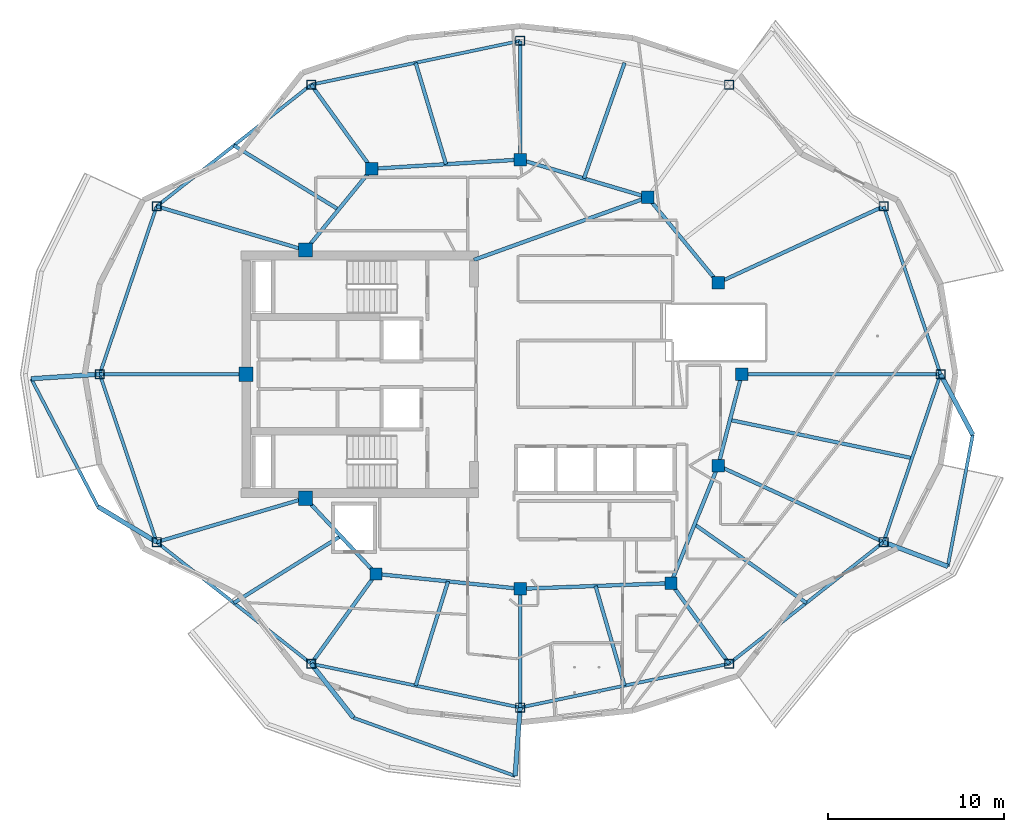
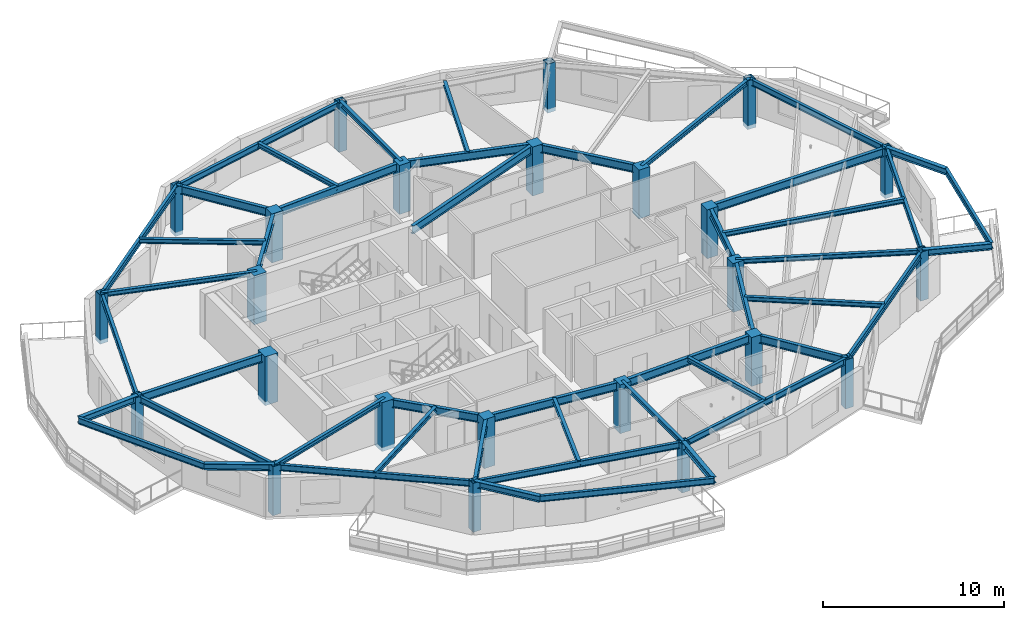
# One storey, part 1 of 14: 48 beams, 24 columns.
"""IFC4 building model written with IfcOpenShell, lengths in metres."""

from ifc_helpers import new_model, si_unit, direction, frame, origin, origin_2d, place, context, subcontext, project, spatial, rectangle, hollow_rectangle, i_section, extrude, material, material_profile, profile_set, type_object, element, save


model = new_model("IFC4")

# Units and contexts
model_context = context("Model", 3, precision=1e-05, world=origin(), true_north=direction((0.0, 1.0)))
body_context = subcontext(model_context, "Body", "Model", "MODEL_VIEW")
ifc_project = project(units=[si_unit("LENGTHUNIT", "METRE"), si_unit("AREAUNIT", "SQUARE_METRE"), si_unit("VOLUMEUNIT", "CUBIC_METRE"), si_unit("PLANEANGLEUNIT", "RADIAN"), si_unit("MASSUNIT", "GRAM", prefix="KILO")], contexts=[model_context])

# Site, building, storey
site_placement = place(None, origin())
site = spatial("IfcSite", under=ifc_project, at=site_placement, CompositionType="ELEMENT")
building_placement = place(site_placement, origin())
building = spatial("IfcBuilding", under=site, at=building_placement, Name="Kolvaren Gate Tower and Convention Centre", CompositionType="ELEMENT")
storey_placement = place(building_placement, frame((0.0, 0.0, 209.60009765625)))
storey = spatial("IfcBuildingStorey", under=building, at=storey_placement, Name="L55", CompositionType="ELEMENT", Elevation=209.60009765625)

# Columns
ifc_material_1 = material(Name="Structural steel ASTM A500 Grade C 345 MPa", Category="steel")
ifc_material_profile_1 = material_profile(ifc_material_1, hollow_rectangle(XDim=0.508056640625, YDim=0.508056640625, WallThickness=0.01904296875, at=origin_2d()), Name="HSS508X508X19.1")
ifc_profile_set_1 = profile_set([ifc_material_profile_1], Name="Structural steel ASTM A500 Grade C 345 MPa")
column_type_1 = type_object("IfcColumnType", Name="STR-COL-HSS508", PredefinedType="COLUMN", material=ifc_profile_set_1)
for number, where, z_axis, x_axis, name in (
    (1, (54.02490234375, 27.0, -0.27001953125), (0.0, 0.0, 1.0), (1.0, 0.0, 0.0), "Tower L55 Perimeter Supercolumn TP-01"),
    (2, (50.787353515625, 36.543701171875, -0.27001953125), (0.0, 0.0, 1.0), (1.0, 0.0, 0.0), "Tower L55 Perimeter Supercolumn TP-02"),
    (3, (42.002685546875, 43.4580078125, -0.27001953125), (0.0, 0.0, 1.0), (1.0, 0.0, 0.0), "Tower L55 Perimeter Supercolumn TP-03"),
    (4, (30.125, 45.949951171875, -0.27001953125), (0.0, 0.0, 1.0), (1.0, 0.0, 0.0), "Tower L55 Perimeter Supercolumn TP-04"),
    (5, (18.247314453125, 43.4580078125, -0.27001953125), (0.0, 0.0, 1.0), (1.0, 0.0, 0.0), "Tower L55 Perimeter Supercolumn TP-05"),
    (6, (9.462646484375, 36.543701171875, -0.27001953125), (0.0, 0.0, 1.0), (1.0, 0.0, 0.0), "Tower L55 Perimeter Supercolumn TP-06"),
    (7, (6.22509765625, 27.0, -0.27001953125), (0.0, 0.0, 1.0), (1.0, 0.0, 0.0), "Tower L55 Perimeter Supercolumn TP-07"),
    (8, (9.462646484375, 17.456298828125, -0.27001953125), (0.0, 0.0, 1.0), (1.0, 0.0, 0.0), "Tower L55 Perimeter Supercolumn TP-08"),
    (9, (18.247314453125, 10.5419921875, -0.27001953125), (0.0, 0.0, 1.0), (1.0, 0.0, 0.0), "Tower L55 Perimeter Supercolumn TP-09"),
    (10, (30.125, 8.050048828125, -0.27001953125), (0.0, 0.0, 1.0), (1.0, 0.0, 0.0), "Tower L55 Perimeter Supercolumn TP-10"),
    (11, (42.002685546875, 10.5419921875, -0.27001953125), (0.0, 0.0, 1.0), (1.0, 0.0, 0.0), "Tower L55 Perimeter Supercolumn TP-11"),
    (12, (50.787353515625, 17.456298828125, -0.27001953125), (0.0, 0.0, 1.0), (1.0, 0.0, 0.0), "Tower L55 Perimeter Supercolumn TP-12"),
):
    element("IfcColumn", number, at=place(storey_placement, frame(where, z_axis=z_axis, x_axis=x_axis)), inside=storey, type_object=column_type_1, Name=name, PredefinedType="COLUMN", context=body_context, shape_type="SweptSolid", body=[
        extrude(hollow_rectangle(XDim=0.508056640625, YDim=0.508056640625, WallThickness=0.01904296875, at=origin_2d()), origin(), (0.0, 0.0, 1.0), 3.2998046875),
    ])
ifc_material_2 = material(Name="Concrete C50/60", Category="concrete")
ifc_material_profile_2 = material_profile(ifc_material_2, rectangle(XDim=0.699951171875, YDim=0.699951171875, at=origin_2d()), Name="RC-COL-700X700")
ifc_profile_set_2 = profile_set([ifc_material_profile_2], Name="Concrete C50/60")
column_type_2 = type_object("IfcColumnType", Name="STR-COL-RC700", PredefinedType="COLUMN", material=ifc_profile_set_2)
for number, where, z_axis, x_axis, name in (
    (13, (42.72509765625, 27.0, -0.27001953125), (0.0, 0.0, 1.0), (1.0, 0.0, 0.0), "Tower L55 Interior Column TI-01"),
    (14, (41.382080078125, 32.199462890625, -0.27001953125), (0.0, 0.0, 1.0), (1.0, 0.0, 0.0), "Tower L55 Interior Column TI-02"),
    (15, (37.381591796875, 37.054931640625, -0.27001953125), (0.0, 0.0, 1.0), (1.0, 0.0, 0.0), "Tower L55 Interior Column TI-03"),
    (16, (30.125, 39.199951171875, -0.27001953125), (0.0, 0.0, 1.0), (1.0, 0.0, 0.0), "Tower L55 Interior Column TI-04"),
    (17, (21.697998046875, 38.6767578125, -0.27001953125), (0.0, 0.0, 1.0), (1.0, 0.0, 0.0), "Tower L55 Interior Column TI-05"),
    (18, (21.93212890625, 15.647705078125, -0.27001953125), (0.0, 0.0, 1.0), (1.0, 0.0, 0.0), "Tower L55 Interior Column TI-06"),
    (19, (30.125, 14.800048828125, -0.27001953125), (0.0, 0.0, 1.0), (1.0, 0.0, 0.0), "Tower L55 Interior Column TI-07"),
    (20, (38.6982421875, 15.12060546875, -0.27001953125), (0.0, 0.0, 1.0), (1.0, 0.0, 0.0), "Tower L55 Interior Column TI-08"),
    (21, (41.382080078125, 21.800537109375, -0.27001953125), (0.0, 0.0, 1.0), (1.0, 0.0, 0.0), "Tower L55 Interior Column TI-09"),
):
    element("IfcColumn", number, at=place(storey_placement, frame(where, z_axis=z_axis, x_axis=x_axis)), inside=storey, type_object=column_type_2, Name=name, PredefinedType="COLUMN", context=body_context, shape_type="SweptSolid", body=[
        extrude(rectangle(XDim=0.699951171875, YDim=0.699951171875, at=origin_2d()), origin(), (0.0, 0.0, 1.0), 3.2998046875),
    ])
ifc_material_3 = material(Name="Concrete C60/75", Category="concrete")
ifc_material_profile_3 = material_profile(ifc_material_3, rectangle(XDim=0.800048828125, YDim=0.800048828125, at=origin_2d()), Name="RC-COL-800X800")
ifc_profile_set_3 = profile_set([ifc_material_profile_3], Name="Concrete C60/75")
column_type_3 = type_object("IfcColumnType", Name="STR-PIL-RC800", PredefinedType="PILASTER", material=ifc_profile_set_3)
for number, where, z_axis, x_axis, name in (
    (22, (17.9140625, 34.050048828125, -0.27001953125), (0.0, 0.0, 1.0), (1.0, 0.0, 0.0), "Tower L55 Core Boundary Pilaster TC-05"),
    (23, (14.550048828125, 27.0, -0.27001953125), (0.0, 0.0, 1.0), (1.0, 0.0, 0.0), "Tower L55 Core Boundary Pilaster TC-06"),
    (24, (17.9140625, 19.949951171875, -0.27001953125), (0.0, 0.0, 1.0), (1.0, 0.0, 0.0), "Tower L55 Core Boundary Pilaster TC-07"),
):
    element("IfcColumn", number, at=place(storey_placement, frame(where, z_axis=z_axis, x_axis=x_axis)), inside=storey, type_object=column_type_3, Name=name, PredefinedType="PILASTER", context=body_context, shape_type="SweptSolid", body=[
        extrude(rectangle(XDim=0.800048828125, YDim=0.800048828125, at=origin_2d()), origin(), (0.0, 0.0, 1.0), 3.2998046875),
    ])

# Beams
ifc_material_4 = material(Name="Structural steel ASTM A992 Grade 345 MPa", Category="steel")
ifc_material_profile_4 = material_profile(ifc_material_4, i_section(OverallWidth=0.260009765625, OverallDepth=0.419921875, WebThickness=0.013427734375, FlangeThickness=0.0224609375, at=origin_2d()), Name="W410X132")
ifc_profile_set_4 = profile_set([ifc_material_profile_4], Name="Structural steel ASTM A992 Grade 345 MPa")
beam_type_1 = type_object("IfcBeamType", Name="STR-BM-W410X132", PredefinedType="BEAM", material=ifc_profile_set_4)
for number, where, z_axis, x_axis, name in (
    (25, (6.22509765625, 27.0, 2.8203125), (-0.997825138942, -0.065916554034, 0.0), (0.065916554034, -0.997825138942, 0.0), "Tower L56 Planted Balcony Outrigger Cantilever BC-2A"),
    (26, (9.462646484375, 17.456298828125, 2.8203125), (-0.856097890351, 0.516813701575, 0.0), (-0.516813701575, -0.856097890351, 0.0), "Tower L56 Planted Balcony Outrigger Cantilever BC-2B"),
):
    element("IfcBeam", number, at=place(storey_placement, frame(where, z_axis=z_axis, x_axis=x_axis)), inside=storey, type_object=beam_type_1, Name=name, PredefinedType="BEAM", context=body_context, shape_type="SweptSolid", body=[
        extrude(i_section(OverallWidth=0.260009765625, OverallDepth=0.419921875, WebThickness=0.013427734375, FlangeThickness=0.0224609375, at=origin_2d()), origin(), (0.0, 0.0, 1.0), 3.900146484375),
    ])
beam_1_placement = place(storey_placement, frame((18.247314453125, 10.5419921875, 2.8203125), z_axis=(0.615984127809, -0.787758563449, 0.0), x_axis=(0.787758563449, 0.615984127809, 0.0)))
element("IfcBeam", 27, at=beam_1_placement, inside=storey, type_object=beam_type_1, Name="Tower L56 Planted Balcony Outrigger Cantilever BC-3A", PredefinedType="BEAM", context=body_context, shape_type="SweptSolid", body=[
    extrude(i_section(OverallWidth=0.260009765625, OverallDepth=0.419921875, WebThickness=0.013427734375, FlangeThickness=0.0224609375, at=origin_2d()), origin(), (0.0, 0.0, 1.0), 3.89990234375),
])
for number, where, z_axis, x_axis, name in (
    (28, (30.125, 8.050048828125, 2.8203125), (-0.073177618762, -0.997318923972, 0.0), (0.997318923972, -0.073177618762, 0.0), "Tower L56 Planted Balcony Outrigger Cantilever BC-3B"),
    (29, (50.787353515625, 17.456298828125, 2.8203125), (0.935223524141, -0.354057848229, 0.0), (0.354057848229, 0.935223524141, 0.0), "Tower L56 Planted Balcony Outrigger Cantilever BC-4A"),
    (30, (54.02490234375, 27.0, 2.8203125), (0.469557949111, -0.882901655014, 0.0), (0.882901655014, 0.469557949111, 0.0), "Tower L56 Planted Balcony Outrigger Cantilever BC-4B"),
):
    element("IfcBeam", number, at=place(storey_placement, frame(where, z_axis=z_axis, x_axis=x_axis)), inside=storey, type_object=beam_type_1, Name=name, PredefinedType="BEAM", context=body_context, shape_type="SweptSolid", body=[
        extrude(i_section(OverallWidth=0.260009765625, OverallDepth=0.419921875, WebThickness=0.013427734375, FlangeThickness=0.0224609375, at=origin_2d()), origin(), (0.0, 0.0, 1.0), 3.900146484375),
    ])
ifc_material_profile_5 = material_profile(ifc_material_4, i_section(OverallWidth=0.2119140625, OverallDepth=0.5439453125, WebThickness=0.01318359375, FlangeThickness=0.021240234375, at=origin_2d()), Name="W530X123")
ifc_profile_set_5 = profile_set([ifc_material_profile_5], Name="Structural steel ASTM A992 Grade 345 MPa")
beam_type_2 = type_object("IfcBeamType", Name="STR-BM-W530X123", PredefinedType="BEAM", material=ifc_profile_set_5)
beam_2_placement = place(storey_placement, frame((42.72509765625, 27.0, 2.7578125), z_axis=(-0.250091133936, -0.968222301296, 0.0), x_axis=(0.968222301296, -0.250091133936, 0.0)))
element("IfcBeam", 31, at=beam_2_placement, inside=storey, type_object=beam_type_2, Name="Tower L55 Primary Ring Girder G-01", PredefinedType="BEAM", context=body_context, shape_type="SweptSolid", body=[
    extrude(i_section(OverallWidth=0.2119140625, OverallDepth=0.5439453125, WebThickness=0.01318359375, FlangeThickness=0.021240234375, at=origin_2d()), origin(), (0.0, 0.0, 1.0), 5.3701171875),
])
beam_3_placement = place(storey_placement, frame((41.382080078125, 32.199462890625, 2.7578125), z_axis=(-0.635884066011, 0.771784590798, 0.0), x_axis=(-0.771784590798, -0.635884066011, 0.0)))
element("IfcBeam", 32, at=beam_3_placement, inside=storey, type_object=beam_type_2, Name="Tower L55 Primary Ring Girder G-02", PredefinedType="BEAM", context=body_context, shape_type="SweptSolid", body=[
    extrude(i_section(OverallWidth=0.2119140625, OverallDepth=0.5439453125, WebThickness=0.01318359375, FlangeThickness=0.021240234375, at=origin_2d()), origin(), (0.0, 0.0, 1.0), 6.291259765625),
])
beam_4_placement = place(storey_placement, frame((37.381591796875, 37.054931640625, 2.7578125), z_axis=(-0.958980837827, 0.283470902706, 0.0), x_axis=(-0.283470902706, -0.958980837827, 0.0)))
element("IfcBeam", 33, at=beam_4_placement, inside=storey, type_object=beam_type_2, Name="Tower L55 Primary Ring Girder G-03", PredefinedType="BEAM", context=body_context, shape_type="SweptSolid", body=[
    extrude(i_section(OverallWidth=0.2119140625, OverallDepth=0.5439453125, WebThickness=0.01318359375, FlangeThickness=0.021240234375, at=origin_2d()), origin(), (0.0, 0.0, 1.0), 7.56689453125),
])
beam_5_placement = place(storey_placement, frame((30.125, 39.199951171875, 2.7578125), z_axis=(-0.998078258568, -0.06196603726, 0.0), x_axis=(0.06196603726, -0.998078258568, 0.0)))
element("IfcBeam", 34, at=beam_5_placement, inside=storey, type_object=beam_type_2, Name="Tower L55 Primary Ring Girder G-04", PredefinedType="BEAM", context=body_context, shape_type="SweptSolid", body=[
    extrude(i_section(OverallWidth=0.2119140625, OverallDepth=0.5439453125, WebThickness=0.01318359375, FlangeThickness=0.021240234375, at=origin_2d()), origin(), (0.0, 0.0, 1.0), 8.443115234375),
])
beam_6_placement = place(storey_placement, frame((21.697998046875, 38.6767578125, 2.7578125), z_axis=(-0.633082074904, -0.774084676528, 0.0), x_axis=(0.774084676528, -0.633082074904, 0.0)))
element("IfcBeam", 35, at=beam_6_placement, inside=storey, type_object=beam_type_2, Name="Tower L55 Primary Ring Girder G-05", PredefinedType="BEAM", context=body_context, shape_type="SweptSolid", body=[
    extrude(i_section(OverallWidth=0.2119140625, OverallDepth=0.5439453125, WebThickness=0.01318359375, FlangeThickness=0.021240234375, at=origin_2d()), origin(), (0.0, 0.0, 1.0), 5.97705078125),
])
beam_7_placement = place(storey_placement, frame((17.9140625, 19.949951171875, 2.7578125), z_axis=(0.682557592987, -0.730831808459, 0.0), x_axis=(0.730831808459, 0.682557592987, 0.0)))
element("IfcBeam", 36, at=beam_7_placement, inside=storey, type_object=beam_type_2, Name="Tower L55 Primary Ring Girder G-06", PredefinedType="BEAM", context=body_context, shape_type="SweptSolid", body=[
    extrude(i_section(OverallWidth=0.2119140625, OverallDepth=0.5439453125, WebThickness=0.01318359375, FlangeThickness=0.021240234375, at=origin_2d()), origin(), (0.0, 0.0, 1.0), 5.88671875),
])
beam_8_placement = place(storey_placement, frame((21.93212890625, 15.647705078125, 2.7578125), z_axis=(0.994690329115, -0.102913308978, 0.0), x_axis=(0.102913308978, 0.994690329115, 0.0)))
element("IfcBeam", 37, at=beam_8_placement, inside=storey, type_object=beam_type_2, Name="Tower L55 Primary Ring Girder G-07", PredefinedType="BEAM", context=body_context, shape_type="SweptSolid", body=[
    extrude(i_section(OverallWidth=0.2119140625, OverallDepth=0.5439453125, WebThickness=0.01318359375, FlangeThickness=0.021240234375, at=origin_2d()), origin(), (0.0, 0.0, 1.0), 8.236572265625),
])
beam_9_placement = place(storey_placement, frame((30.125, 14.800048828125, 2.7578125), z_axis=(0.999301712453, 0.037364254142, 0.0), x_axis=(-0.037364254142, 0.999301712453, 0.0)))
element("IfcBeam", 38, at=beam_9_placement, inside=storey, type_object=beam_type_2, Name="Tower L55 Primary Ring Girder G-08", PredefinedType="BEAM", context=body_context, shape_type="SweptSolid", body=[
    extrude(i_section(OverallWidth=0.2119140625, OverallDepth=0.5439453125, WebThickness=0.01318359375, FlangeThickness=0.021240234375, at=origin_2d()), origin(), (0.0, 0.0, 1.0), 8.579345703125),
])
beam_10_placement = place(storey_placement, frame((38.6982421875, 15.12060546875, 2.7578125), z_axis=(0.372811100169, 0.927907260232, 0.0), x_axis=(-0.927907260232, 0.372811100169, 0.0)))
element("IfcBeam", 39, at=beam_10_placement, inside=storey, type_object=beam_type_2, Name="Tower L55 Primary Ring Girder G-09", PredefinedType="BEAM", context=body_context, shape_type="SweptSolid", body=[
    extrude(i_section(OverallWidth=0.2119140625, OverallDepth=0.5439453125, WebThickness=0.01318359375, FlangeThickness=0.021240234375, at=origin_2d()), origin(), (0.0, 0.0, 1.0), 7.198974609375),
])
beam_11_placement = place(storey_placement, frame((27.5, 33.5, 2.7578125), z_axis=(0.940961479908, 0.338513653093, 0.0), x_axis=(-0.338513653093, 0.940961479908, 0.0)))
element("IfcBeam", 40, at=beam_11_placement, inside=storey, type_object=beam_type_2, Name="Tower L55 Primary Ring Girder G-10", PredefinedType="BEAM", context=body_context, shape_type="SweptSolid", body=[
    extrude(i_section(OverallWidth=0.2119140625, OverallDepth=0.5439453125, WebThickness=0.01318359375, FlangeThickness=0.021240234375, at=origin_2d()), origin(), (0.0, 0.0, 1.0), 10.501708984375),
])
beam_12_placement = place(storey_placement, frame((42.72509765625, 27.0, 2.7578125), z_axis=(1.0, 0.0, 0.0), x_axis=(0.0, 1.0, 0.0)))
element("IfcBeam", 41, at=beam_12_placement, inside=storey, type_object=beam_type_2, Name="Tower L55 Radial Floor Girder RB-01", PredefinedType="BEAM", context=body_context, shape_type="SweptSolid", body=[
    extrude(i_section(OverallWidth=0.2119140625, OverallDepth=0.5439453125, WebThickness=0.01318359375, FlangeThickness=0.021240234375, at=origin_2d()), origin(), (0.0, 0.0, 1.0), 11.2998046875),
])
beam_13_placement = place(storey_placement, frame((21.697998046875, 38.6767578125, 2.7578125), z_axis=(-0.585218406802, 0.810875709552, 0.0), x_axis=(-0.810875709552, -0.585218406802, 0.0)))
element("IfcBeam", 42, at=beam_13_placement, inside=storey, type_object=beam_type_2, Name="Tower L55 Radial Floor Girder RB-05", PredefinedType="BEAM", context=body_context, shape_type="SweptSolid", body=[
    extrude(i_section(OverallWidth=0.2119140625, OverallDepth=0.5439453125, WebThickness=0.01318359375, FlangeThickness=0.021240234375, at=origin_2d()), origin(), (0.0, 0.0, 1.0), 5.896484375),
])
beam_14_placement = place(storey_placement, frame((14.550048828125, 27.0, 2.7578125), z_axis=(-1.0, 0.0, 0.0), x_axis=(0.0, -1.0, 0.0)))
element("IfcBeam", 43, at=beam_14_placement, inside=storey, type_object=beam_type_2, Name="Tower L55 Radial Floor Girder RB-07", PredefinedType="BEAM", context=body_context, shape_type="SweptSolid", body=[
    extrude(i_section(OverallWidth=0.2119140625, OverallDepth=0.5439453125, WebThickness=0.01318359375, FlangeThickness=0.021240234375, at=origin_2d()), origin(), (0.0, 0.0, 1.0), 8.324951171875),
])
beam_15_placement = place(storey_placement, frame((21.93212890625, 15.647705078125, 2.7578125), z_axis=(-0.585214462319, -0.810878556316, 0.0), x_axis=(0.810878556316, -0.585214462319, 0.0)))
element("IfcBeam", 44, at=beam_15_placement, inside=storey, type_object=beam_type_2, Name="Tower L55 Radial Floor Girder RB-09", PredefinedType="BEAM", context=body_context, shape_type="SweptSolid", body=[
    extrude(i_section(OverallWidth=0.2119140625, OverallDepth=0.5439453125, WebThickness=0.01318359375, FlangeThickness=0.021240234375, at=origin_2d()), origin(), (0.0, 0.0, 1.0), 6.296630859375),
])
beam_16_placement = place(storey_placement, frame((38.6982421875, 15.12060546875, 2.7578125), z_axis=(0.585218993275, -0.810875286286, 0.0), x_axis=(0.810875286286, 0.585218993275, 0.0)))
element("IfcBeam", 45, at=beam_16_placement, inside=storey, type_object=beam_type_2, Name="Tower L55 Radial Floor Girder RB-11", PredefinedType="BEAM", context=body_context, shape_type="SweptSolid", body=[
    extrude(i_section(OverallWidth=0.2119140625, OverallDepth=0.5439453125, WebThickness=0.01318359375, FlangeThickness=0.021240234375, at=origin_2d()), origin(), (0.0, 0.0, 1.0), 5.646484375),
])
ifc_material_profile_6 = material_profile(ifc_material_4, i_section(OverallWidth=0.205078125, OverallDepth=0.31005859375, WebThickness=0.009521484375, FlangeThickness=0.016357421875, at=origin_2d()), Name="W310X74")
ifc_profile_set_6 = profile_set([ifc_material_profile_6], Name="Structural steel ASTM A992 Grade 345 MPa")
beam_type_3 = type_object("IfcBeamType", Name="STR-JS-W310X74", PredefinedType="JOIST", material=ifc_profile_set_6)
beam_17_placement = place(storey_placement, frame((41.382080078125, 32.199462890625, 2.875), z_axis=(0.907836575129, 0.419324162025, 0.0), x_axis=(-0.419324162025, 0.907836575129, 0.0)))
element("IfcBeam", 46, at=beam_17_placement, inside=storey, type_object=beam_type_3, Name="Tower L55 Radial Floor Girder RB-02", PredefinedType="JOIST", context=body_context, shape_type="SweptSolid", body=[
    extrude(i_section(OverallWidth=0.205078125, OverallDepth=0.31005859375, WebThickness=0.009521484375, FlangeThickness=0.016357421875, at=origin_2d()), origin(), (0.0, 0.0, 1.0), 10.360107421875),
])
beam_18_placement = place(storey_placement, frame((30.125, 39.199951171875, 2.875), z_axis=(0.0, 1.0, 0.0), x_axis=(-1.0, 0.0, 0.0)))
element("IfcBeam", 47, at=beam_18_placement, inside=storey, type_object=beam_type_3, Name="Tower L55 Radial Floor Girder RB-04", PredefinedType="JOIST", context=body_context, shape_type="SweptSolid", body=[
    extrude(i_section(OverallWidth=0.205078125, OverallDepth=0.31005859375, WebThickness=0.009521484375, FlangeThickness=0.016357421875, at=origin_2d()), origin(), (0.0, 0.0, 1.0), 6.75),
])
for number, where, z_axis, x_axis, name in (
    (48, (17.9140625, 34.050048828125, 2.875), (-0.959121165581, 0.28299574155, 0.0), (-0.28299574155, -0.959121165581, 0.0), "Tower L55 Radial Floor Girder RB-06"),
    (49, (17.9140625, 19.949951171875, 2.875), (-0.959121165581, -0.28299574155, 0.0), (0.28299574155, -0.959121165581, 0.0), "Tower L55 Radial Floor Girder RB-08"),
):
    element("IfcBeam", number, at=place(storey_placement, frame(where, z_axis=z_axis, x_axis=x_axis)), inside=storey, type_object=beam_type_3, Name=name, PredefinedType="JOIST", context=body_context, shape_type="SweptSolid", body=[
        extrude(i_section(OverallWidth=0.205078125, OverallDepth=0.31005859375, WebThickness=0.009521484375, FlangeThickness=0.016357421875, at=origin_2d()), origin(), (0.0, 0.0, 1.0), 8.8115234375),
    ])
beam_19_placement = place(storey_placement, frame((30.125, 14.800048828125, 2.875), z_axis=(0.0, -1.0, 0.0), x_axis=(1.0, 0.0, 0.0)))
element("IfcBeam", 50, at=beam_19_placement, inside=storey, type_object=beam_type_3, Name="Tower L55 Radial Floor Girder RB-10", PredefinedType="JOIST", context=body_context, shape_type="SweptSolid", body=[
    extrude(i_section(OverallWidth=0.205078125, OverallDepth=0.31005859375, WebThickness=0.009521484375, FlangeThickness=0.016357421875, at=origin_2d()), origin(), (0.0, 0.0, 1.0), 6.75),
])
beam_20_placement = place(storey_placement, frame((41.382080078125, 21.800537109375, 2.875), z_axis=(0.907836575129, -0.419324162025, 0.0), x_axis=(0.419324162025, 0.907836575129, 0.0)))
element("IfcBeam", 51, at=beam_20_placement, inside=storey, type_object=beam_type_3, Name="Tower L55 Radial Floor Girder RB-12", PredefinedType="JOIST", context=body_context, shape_type="SweptSolid", body=[
    extrude(i_section(OverallWidth=0.205078125, OverallDepth=0.31005859375, WebThickness=0.009521484375, FlangeThickness=0.016357421875, at=origin_2d()), origin(), (0.0, 0.0, 1.0), 10.360107421875),
])
beam_21_placement = place(storey_placement, frame((33.75341796875, 38.12744140625, 2.875), z_axis=(0.331432911821, 0.943478788824, 0.0), x_axis=(-0.943478788824, 0.331432911821, 0.0)))
element("IfcBeam", 52, at=beam_21_placement, inside=storey, type_object=beam_type_3, Name="Tower L55 Secondary Composite Floor Joist J-03.1", PredefinedType="JOIST", context=body_context, shape_type="SweptSolid", body=[
    extrude(i_section(OverallWidth=0.205078125, OverallDepth=0.31005859375, WebThickness=0.009521484375, FlangeThickness=0.016357421875, at=origin_2d()), origin(), (0.0, 0.0, 1.0), 6.970703125),
])
beam_22_placement = place(storey_placement, frame((25.91162109375, 38.938232421875, 2.875), z_axis=(-0.286674209033, 0.958028130002, 0.0), x_axis=(-0.958028130002, -0.286674209033, 0.0)))
element("IfcBeam", 53, at=beam_22_placement, inside=storey, type_object=beam_type_3, Name="Tower L55 Secondary Composite Floor Joist J-04.1", PredefinedType="JOIST", context=body_context, shape_type="SweptSolid", body=[
    extrude(i_section(OverallWidth=0.205078125, OverallDepth=0.31005859375, WebThickness=0.009521484375, FlangeThickness=0.016357421875, at=origin_2d()), origin(), (0.0, 0.0, 1.0), 6.0185546875),
])
beam_23_placement = place(storey_placement, frame((19.805908203125, 36.36328125, 2.875), z_axis=(-0.853232509014, 0.52153071392, 0.0), x_axis=(-0.52153071392, -0.853232509014, 0.0)))
element("IfcBeam", 54, at=beam_23_placement, inside=storey, type_object=beam_type_3, Name="Tower L55 Secondary Composite Floor Joist J-05.1", PredefinedType="JOIST", context=body_context, shape_type="SweptSolid", body=[
    extrude(i_section(OverallWidth=0.205078125, OverallDepth=0.31005859375, WebThickness=0.009521484375, FlangeThickness=0.016357421875, at=origin_2d()), origin(), (0.0, 0.0, 1.0), 6.974609375),
])
beam_24_placement = place(storey_placement, frame((19.923095703125, 17.798828125, 2.875), z_axis=(-0.847559309278, -0.530700685186, 0.0), x_axis=(0.530700685186, -0.847559309278, 0.0)))
element("IfcBeam", 55, at=beam_24_placement, inside=storey, type_object=beam_type_3, Name="Tower L55 Secondary Composite Floor Joist J-08.1", PredefinedType="JOIST", context=body_context, shape_type="SweptSolid", body=[
    extrude(i_section(OverallWidth=0.205078125, OverallDepth=0.31005859375, WebThickness=0.009521484375, FlangeThickness=0.016357421875, at=origin_2d()), origin(), (0.0, 0.0, 1.0), 7.159423828125),
])
beam_25_placement = place(storey_placement, frame((26.028564453125, 15.223876953125, 2.875), z_axis=(-0.296776485487, -0.954946971126, 0.0), x_axis=(0.954946971126, -0.296776485487, 0.0)))
element("IfcBeam", 56, at=beam_25_placement, inside=storey, type_object=beam_type_3, Name="Tower L55 Secondary Composite Floor Joist J-09.1", PredefinedType="JOIST", context=body_context, shape_type="SweptSolid", body=[
    extrude(i_section(OverallWidth=0.205078125, OverallDepth=0.31005859375, WebThickness=0.009521484375, FlangeThickness=0.016357421875, at=origin_2d()), origin(), (0.0, 0.0, 1.0), 6.207763671875),
])
beam_26_placement = place(storey_placement, frame((34.41162109375, 14.960205078125, 2.875), z_axis=(0.280001588896, -0.959999536571, 0.0), x_axis=(0.959999536571, 0.280001588896, 0.0)))
element("IfcBeam", 57, at=beam_26_placement, inside=storey, type_object=beam_type_3, Name="Tower L55 Secondary Composite Floor Joist J-10.1", PredefinedType="JOIST", context=body_context, shape_type="SweptSolid", body=[
    extrude(i_section(OverallWidth=0.205078125, OverallDepth=0.31005859375, WebThickness=0.009521484375, FlangeThickness=0.016357421875, at=origin_2d()), origin(), (0.0, 0.0, 1.0), 5.900390625),
])
beam_27_placement = place(storey_placement, frame((40.040283203125, 18.46044921875, 2.875), z_axis=(0.81845266589, -0.574573958423, 0.0), x_axis=(0.574573958423, 0.81845266589, 0.0)))
element("IfcBeam", 58, at=beam_27_placement, inside=storey, type_object=beam_type_3, Name="Tower L55 Secondary Composite Floor Joist J-11.1", PredefinedType="JOIST", context=body_context, shape_type="SweptSolid", body=[
    extrude(i_section(OverallWidth=0.205078125, OverallDepth=0.31005859375, WebThickness=0.009521484375, FlangeThickness=0.016357421875, at=origin_2d()), origin(), (0.0, 0.0, 1.0), 7.764404296875),
])
beam_28_placement = place(storey_placement, frame((42.0537109375, 24.400146484375, 2.875), z_axis=(0.978694513543, -0.205321818519, 0.0), x_axis=(0.205321818519, 0.978694513543, 0.0)))
element("IfcBeam", 59, at=beam_28_placement, inside=storey, type_object=beam_type_3, Name="Tower L55 Secondary Composite Floor Joist J-12.1", PredefinedType="JOIST", context=body_context, shape_type="SweptSolid", body=[
    extrude(i_section(OverallWidth=0.205078125, OverallDepth=0.31005859375, WebThickness=0.009521484375, FlangeThickness=0.016357421875, at=origin_2d()), origin(), (0.0, 0.0, 1.0), 10.577880859375),
])
ifc_material_profile_7 = material_profile(ifc_material_4, i_section(OverallWidth=0.180908203125, OverallDepth=0.4169921875, WebThickness=0.010986328125, FlangeThickness=0.018310546875, at=origin_2d()), Name="W410X85")
ifc_profile_set_7 = profile_set([ifc_material_profile_7], Name="Structural steel ASTM A992 Grade 345 MPa")
beam_type_4 = type_object("IfcBeamType", Name="STR-SP-W410X85", PredefinedType="SPANDREL", material=ifc_profile_set_7)
beam_29_placement = place(storey_placement, frame((54.02490234375, 27.0, 2.8212890625), z_axis=(-0.321252507379, 0.946993572577, 0.0), x_axis=(-0.946993572577, -0.321252507379, 0.0)))
element("IfcBeam", 60, at=beam_29_placement, inside=storey, type_object=beam_type_4, Name="Tower L55 Perimeter Spandrel Beam SP-01", PredefinedType="SPANDREL", context=body_context, shape_type="SweptSolid", body=[
    extrude(i_section(OverallWidth=0.180908203125, OverallDepth=0.4169921875, WebThickness=0.010986328125, FlangeThickness=0.018310546875, at=origin_2d()), origin(), (0.0, 0.0, 1.0), 10.077880859375),
])
beam_30_placement = place(storey_placement, frame((30.125, 45.949951171875, 2.8212890625), z_axis=(-0.978692765917, -0.205330148645, 0.0), x_axis=(0.205330148645, -0.978692765917, 0.0)))
element("IfcBeam", 61, at=beam_30_placement, inside=storey, type_object=beam_type_4, Name="Tower L55 Perimeter Spandrel Beam SP-04", PredefinedType="SPANDREL", context=body_context, shape_type="SweptSolid", body=[
    extrude(i_section(OverallWidth=0.180908203125, OverallDepth=0.4169921875, WebThickness=0.010986328125, FlangeThickness=0.018310546875, at=origin_2d()), origin(), (0.0, 0.0, 1.0), 12.13623046875),
])
beam_31_placement = place(storey_placement, frame((18.247314453125, 43.4580078125, 2.8212890625), z_axis=(-0.78579365551, -0.618488747643, 0.0), x_axis=(0.618488747643, -0.78579365551, 0.0)))
element("IfcBeam", 62, at=beam_31_placement, inside=storey, type_object=beam_type_4, Name="Tower L55 Perimeter Spandrel Beam SP-05", PredefinedType="SPANDREL", context=body_context, shape_type="SweptSolid", body=[
    extrude(i_section(OverallWidth=0.180908203125, OverallDepth=0.4169921875, WebThickness=0.010986328125, FlangeThickness=0.018310546875, at=origin_2d()), origin(), (0.0, 0.0, 1.0), 11.179443359375),
])
for number, where, z_axis, x_axis, name in (
    (63, (9.462646484375, 36.543701171875, 2.8212890625), (-0.321252507379, -0.946993572577, 0.0), (0.946993572577, -0.321252507379, 0.0), "Tower L55 Perimeter Spandrel Beam SP-06"),
    (64, (6.22509765625, 27.0, 2.8212890625), (0.321252507379, -0.946993572577, 0.0), (0.946993572577, 0.321252507379, 0.0), "Tower L55 Perimeter Spandrel Beam SP-07"),
):
    element("IfcBeam", number, at=place(storey_placement, frame(where, z_axis=z_axis, x_axis=x_axis)), inside=storey, type_object=beam_type_4, Name=name, PredefinedType="SPANDREL", context=body_context, shape_type="SweptSolid", body=[
        extrude(i_section(OverallWidth=0.180908203125, OverallDepth=0.4169921875, WebThickness=0.010986328125, FlangeThickness=0.018310546875, at=origin_2d()), origin(), (0.0, 0.0, 1.0), 10.077880859375),
    ])
beam_32_placement = place(storey_placement, frame((9.462646484375, 17.456298828125, 2.8212890625), z_axis=(0.78579365551, -0.618488747643, 0.0), x_axis=(0.618488747643, 0.78579365551, 0.0)))
element("IfcBeam", 65, at=beam_32_placement, inside=storey, type_object=beam_type_4, Name="Tower L55 Perimeter Spandrel Beam SP-08", PredefinedType="SPANDREL", context=body_context, shape_type="SweptSolid", body=[
    extrude(i_section(OverallWidth=0.180908203125, OverallDepth=0.4169921875, WebThickness=0.010986328125, FlangeThickness=0.018310546875, at=origin_2d()), origin(), (0.0, 0.0, 1.0), 11.179443359375),
])
for number, where, z_axis, x_axis, name in (
    (66, (18.247314453125, 10.5419921875, 2.8212890625), (0.978692765917, -0.205330148645, 0.0), (0.205330148645, 0.978692765917, 0.0), "Tower L55 Perimeter Spandrel Beam SP-09"),
    (67, (30.125, 8.050048828125, 2.8212890625), (0.978692765917, 0.205330148645, 0.0), (-0.205330148645, 0.978692765917, 0.0), "Tower L55 Perimeter Spandrel Beam SP-10"),
):
    element("IfcBeam", number, at=place(storey_placement, frame(where, z_axis=z_axis, x_axis=x_axis)), inside=storey, type_object=beam_type_4, Name=name, PredefinedType="SPANDREL", context=body_context, shape_type="SweptSolid", body=[
        extrude(i_section(OverallWidth=0.180908203125, OverallDepth=0.4169921875, WebThickness=0.010986328125, FlangeThickness=0.018310546875, at=origin_2d()), origin(), (0.0, 0.0, 1.0), 12.13623046875),
    ])
beam_33_placement = place(storey_placement, frame((42.002685546875, 10.5419921875, 2.8212890625), z_axis=(0.78579365551, 0.618488747643, 0.0), x_axis=(-0.618488747643, 0.78579365551, 0.0)))
element("IfcBeam", 68, at=beam_33_placement, inside=storey, type_object=beam_type_4, Name="Tower L55 Perimeter Spandrel Beam SP-11", PredefinedType="SPANDREL", context=body_context, shape_type="SweptSolid", body=[
    extrude(i_section(OverallWidth=0.180908203125, OverallDepth=0.4169921875, WebThickness=0.010986328125, FlangeThickness=0.018310546875, at=origin_2d()), origin(), (0.0, 0.0, 1.0), 11.179443359375),
])
beam_34_placement = place(storey_placement, frame((50.787353515625, 17.456298828125, 2.8212890625), z_axis=(0.321252507379, 0.946993572577, 0.0), x_axis=(-0.946993572577, 0.321252507379, 0.0)))
element("IfcBeam", 69, at=beam_34_placement, inside=storey, type_object=beam_type_4, Name="Tower L55 Perimeter Spandrel Beam SP-12", PredefinedType="SPANDREL", context=body_context, shape_type="SweptSolid", body=[
    extrude(i_section(OverallWidth=0.180908203125, OverallDepth=0.4169921875, WebThickness=0.010986328125, FlangeThickness=0.018310546875, at=origin_2d()), origin(), (0.0, 0.0, 1.0), 10.077880859375),
])
beam_35_placement = place(storey_placement, frame((2.33349609375, 26.742919921875, 2.822021484375), z_axis=(0.462251551917, -0.886748838595, 0.0), x_axis=(0.886748838595, 0.462251551917, 0.0)))
element("IfcBeam", 70, at=beam_35_placement, inside=storey, type_object=beam_type_4, Name="Tower L56 Planted Balcony Header Tie Beam BT-2", PredefinedType="SPANDREL", context=body_context, shape_type="SweptSolid", body=[
    extrude(i_section(OverallWidth=0.180908203125, OverallDepth=0.4169921875, WebThickness=0.010986328125, FlangeThickness=0.018310546875, at=origin_2d()), origin(), (0.0, 0.0, 1.0), 8.19970703125),
])
beam_36_placement = place(storey_placement, frame((20.649658203125, 7.4697265625, 2.822021484375), z_axis=(0.940856500711, -0.338805320311, 0.0), x_axis=(0.338805320311, 0.940856500711, 0.0)))
element("IfcBeam", 71, at=beam_36_placement, inside=storey, type_object=beam_type_4, Name="Tower L56 Planted Balcony Header Tie Beam BT-3", PredefinedType="SPANDREL", context=body_context, shape_type="SweptSolid", body=[
    extrude(i_section(OverallWidth=0.180908203125, OverallDepth=0.4169921875, WebThickness=0.010986328125, FlangeThickness=0.018310546875, at=origin_2d()), origin(), (0.0, 0.0, 1.0), 9.767578125),
])
beam_37_placement = place(storey_placement, frame((54.434814453125, 16.075439453125, 2.822021484375), z_axis=(0.186655385459, 0.982425451156, 0.0), x_axis=(-0.982425451156, 0.186655385459, 0.0)))
element("IfcBeam", 72, at=beam_37_placement, inside=storey, type_object=beam_type_4, Name="Tower L56 Planted Balcony Header Tie Beam BT-4", PredefinedType="SPANDREL", context=body_context, shape_type="SweptSolid", body=[
    extrude(i_section(OverallWidth=0.180908203125, OverallDepth=0.4169921875, WebThickness=0.010986328125, FlangeThickness=0.018310546875, at=origin_2d()), origin(), (0.0, 0.0, 1.0), 7.614990234375),
])

save(model, "model.ifc")
